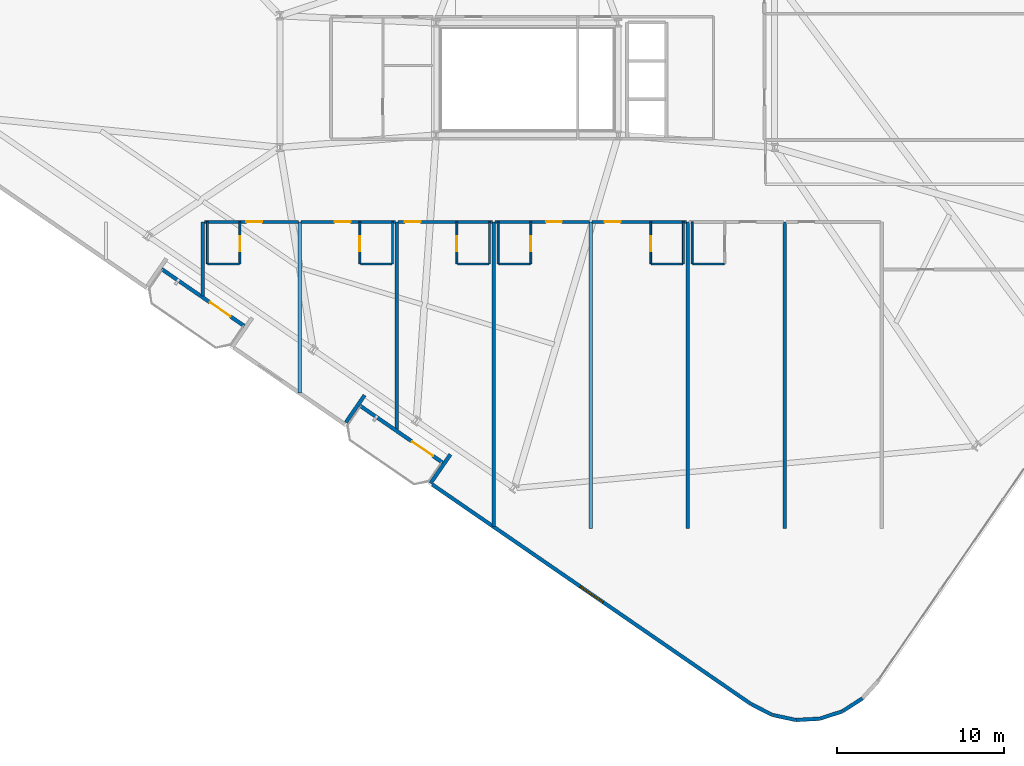
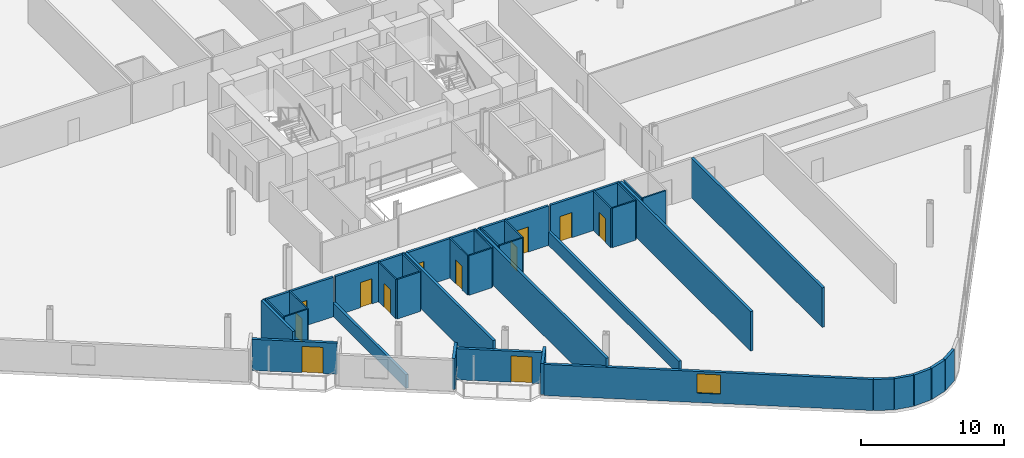
# One storey, part 17 of 24: 39 walls, 12 doors, 1 window, 13 openings.
"""IFC4 building model written with IfcOpenShell, lengths in metres."""

from ifc_helpers import new_model, si_unit, direction, frame, frame_2d, origin, place, context, subcontext, project, spatial, rectangle, extrude, material, layer, layer_set, type_object, element, fill, save


model = new_model("IFC4")

# Units and contexts
model_context = context("Model", 3, precision=1e-05, world=origin(), true_north=direction((0.0, 1.0)))
body_context = subcontext(model_context, "Body", "Model", "MODEL_VIEW")
ifc_project = project(units=[si_unit("LENGTHUNIT", "METRE"), si_unit("AREAUNIT", "SQUARE_METRE"), si_unit("VOLUMEUNIT", "CUBIC_METRE"), si_unit("PLANEANGLEUNIT", "RADIAN"), si_unit("MASSUNIT", "GRAM", prefix="KILO")], contexts=[model_context])

# Site, building, storey
site_placement = place(None, origin())
site = spatial("IfcSite", under=ifc_project, at=site_placement, CompositionType="ELEMENT")
building_placement = place(site_placement, origin())
building = spatial("IfcBuilding", under=site, at=building_placement, Name="Varnelok Gate Tower", CompositionType="ELEMENT")
storey_placement = place(building_placement, frame((0.0, 0.0, 67.699951171875)))
storey = spatial("IfcBuildingStorey", under=building, at=storey_placement, Name="L16", CompositionType="ELEMENT", Elevation=67.699951171875)

# Wall, opening, door
ifc_material_1 = material(Name="Concrete C45/55", Category="concrete")
ifc_layer_1 = layer(ifc_material_1, 0.219970703125)
ifc_layer_set_1 = layer_set([ifc_layer_1], Name="Concrete C45/55")
wall_type_1 = type_object("IfcWallType", Name="EW-BALC-220", PredefinedType="SOLIDWALL", material=ifc_layer_set_1)
wall_1_placement = place(storey_placement, frame((22.2685546875, 8.12353515625, 0.0), z_axis=(0.0, 0.0, 1.0), x_axis=(-0.823534636215, 0.567265989598, 0.0)))
wall_1 = element("IfcWall", 1, at=wall_1_placement, inside=storey, type_object=wall_type_1, Name="L16 South Terrace Envelope Wall 1", PredefinedType="SOLIDWALL", context=body_context, shape_type="SweptSolid", body=[
    extrude(rectangle(XDim=6.0, YDim=0.219970703125, at=frame_2d((3.0, 0.0))), origin(), (0.0, 0.0, 1.0), 2.66015625),
])
opening_1_placement = place(wall_1_placement, frame((0.991943359375, 0.0, 0.0)))
opening_1 = element("IfcOpeningElement", 2, at=opening_1_placement, cuts=wall_1, Name="Opening BD-1", PredefinedType="OPENING", context=body_context, shape_type="SweptSolid", body=[
    extrude(rectangle(XDim=1.5, YDim=2.25, at=frame_2d((0.75, 1.125))), frame((0.0, 0.119873046875, 0.0), z_axis=(0.0, -1.0, 0.0), x_axis=(1.0, 0.0, 0.0)), (0.0, 0.0, 1.0), 0.239990234375),
])
ifc_material_2 = material(Name="Anodized Aluminum Alloy 6063-T6", Category="aluminium")
door_type_1 = type_object("IfcDoorType", Name="DR-EXT-BALC1500", OperationType="NOTDEFINED", PredefinedType="DOOR", material=ifc_material_2)
door_1_placement = place(opening_1_placement, origin())
door_1 = element("IfcDoor", 3, at=door_1_placement, inside=storey, type_object=door_type_1, Name="L16 South Balcony Glazed Door 1", OperationType="SINGLE_SWING_RIGHT", OverallHeight=2.25, OverallWidth=1.5, PredefinedType="DOOR", context=body_context, shape_type="SweptSolid", body=[
    extrude(rectangle(XDim=1.5, YDim=2.25, at=frame_2d((0.75, 1.125))), frame((0.0, 0.02490234375, 0.0), z_axis=(0.0, -1.0, 0.0), x_axis=(1.0, 0.0, 0.0)), (0.0, 0.0, 1.0), 0.050048828125),
])
fill(opening_1, door_1)

wall_2_placement = place(storey_placement, frame((34.12744140625, -0.044921875, 0.0), z_axis=(0.0, 0.0, 1.0), x_axis=(-0.823534636215, 0.567265989598, 0.0)))
wall_2 = element("IfcWall", 4, at=wall_2_placement, inside=storey, type_object=wall_type_1, Name="L16 South Terrace Envelope Wall 2", PredefinedType="SOLIDWALL", context=body_context, shape_type="SweptSolid", body=[
    extrude(rectangle(XDim=6.0, YDim=0.219970703125, at=frame_2d((3.0, 0.0))), origin(), (0.0, 0.0, 1.0), 2.66015625),
])
opening_2_placement = place(wall_2_placement, frame((0.696044921875, 0.0, 0.0)))
opening_2 = element("IfcOpeningElement", 5, at=opening_2_placement, cuts=wall_2, Name="Opening BD-1", PredefinedType="OPENING", context=body_context, shape_type="SweptSolid", body=[
    extrude(rectangle(XDim=1.5, YDim=2.25, at=frame_2d((0.75, 1.125))), frame((0.0, 0.119873046875, 0.0), z_axis=(0.0, -1.0, 0.0), x_axis=(1.0, 0.0, 0.0)), (0.0, 0.0, 1.0), 0.239990234375),
])
door_2_placement = place(opening_2_placement, origin())
door_2 = element("IfcDoor", 6, at=door_2_placement, inside=storey, type_object=door_type_1, Name="L16 South Balcony Glazed Door 2", OperationType="SINGLE_SWING_LEFT", OverallHeight=2.25, OverallWidth=1.5, PredefinedType="DOOR", context=body_context, shape_type="SweptSolid", body=[
    extrude(rectangle(XDim=1.5, YDim=2.25, at=frame_2d((0.75, 1.125))), frame((0.0, 0.02490234375, 0.0), z_axis=(0.0, -1.0, 0.0), x_axis=(1.0, 0.0, 0.0)), (0.0, 0.0, 1.0), 0.050048828125),
])
fill(opening_2, door_2)

# Walls
wall_3_placement = place(storey_placement, frame((28.34716796875, 2.351806640625, 0.0), z_axis=(0.0, 0.0, 1.0), x_axis=(0.567215821234, 0.823569190865, 0.0)))
element("IfcWall", 7, at=wall_3_placement, inside=storey, type_object=wall_type_1, Name="L16 Perimeter Facade Closure Wall 11", PredefinedType="SOLIDWALL", context=body_context, shape_type="SweptSolid", body=[
    extrude(rectangle(XDim=1.97509765625, YDim=0.219970703125, at=frame_2d((0.987548828125, 0.0))), origin(), (0.0, 0.0, 1.0), 2.66015625),
])
wall_4_placement = place(storey_placement, frame((34.606201171875, 0.438720703125, 0.0), z_axis=(0.0, 0.0, 1.0), x_axis=(-0.567219383419, -0.823566737474, 0.0)))
element("IfcWall", 8, at=wall_4_placement, inside=storey, type_object=wall_type_1, Name="L16 Perimeter Facade Closure Wall 12", PredefinedType="SOLIDWALL", context=body_context, shape_type="SweptSolid", body=[
    extrude(rectangle(XDim=2.10009765625, YDim=0.219970703125, at=frame_2d((1.050048828125, 0.0))), origin(), (0.0, 0.0, 1.0), 2.66015625),
])

# Wall, opening, window
wall_5_placement = place(storey_placement, frame((33.517822265625, -1.36181640625, 0.0), z_axis=(0.0, 0.0, 1.0), x_axis=(0.82353935489, -0.567259139148, 0.0)))
wall_5 = element("IfcWall", 9, at=wall_5_placement, inside=storey, type_object=wall_type_1, Name="L16 Perimeter Facade Closure Wall 13", PredefinedType="SOLIDWALL", context=body_context, shape_type="SweptSolid", body=[
    extrude(rectangle(XDim=23.14697265625, YDim=0.219970703125, at=frame_2d((11.573486328125, 0.0))), origin(), (0.0, 0.0, 1.0), 2.66015625),
])
opening_3_placement = place(wall_5_placement, frame((10.74853515625, 0.0, 0.800048828125)))
opening_3 = element("IfcOpeningElement", 10, at=opening_3_placement, cuts=wall_5, Name="Opening WN3", PredefinedType="OPENING", context=body_context, shape_type="SweptSolid", body=[
    extrude(rectangle(XDim=1.64990234375, YDim=1.64990234375, at=frame_2d((0.824951171875, 0.824951171875))), frame((0.0, 0.119873046875, 0.0), z_axis=(0.0, -1.0, 0.0), x_axis=(1.0, 0.0, 0.0)), (0.0, 0.0, 1.0), 0.239990234375),
])
ifc_material_3 = material(Name="Low-E Laminated Double Glazing IGU", Category="glass")
window_type = type_object("IfcWindowType", Name="WN-HTL-1650", PartitioningType="SINGLE_PANEL", PredefinedType="WINDOW", material=ifc_material_3)
window_placement = place(opening_3_placement, origin())
window = element("IfcWindow", 11, at=window_placement, inside=storey, type_object=window_type, Name="L16 Perimeter Vision Window 13", OverallHeight=1.64990234375, OverallWidth=1.64990234375, PartitioningType="SINGLE_PANEL", PredefinedType="WINDOW", context=body_context, shape_type="SweptSolid", body=[
    extrude(rectangle(XDim=1.64990234375, YDim=1.64990234375, at=frame_2d((0.824951171875, 0.824951171875))), frame((0.0, 0.030029296875, 0.0), z_axis=(0.0, -1.0, 0.0), x_axis=(1.0, 0.0, 0.0)), (0.0, 0.0, 1.0), 0.06005859375),
])
fill(opening_3, window)

# Walls
wall_6_placement = place(storey_placement, frame((52.602783203125, -14.503662109375, 0.0), z_axis=(0.0, 0.0, 1.0), x_axis=(0.89052335693, -0.45493752402, 0.0)))
element("IfcWall", 12, at=wall_6_placement, inside=storey, type_object=wall_type_1, Name="L16 Perimeter Facade Closure Wall 14", PredefinedType="SOLIDWALL", context=body_context, shape_type="SweptSolid", body=[
    extrude(rectangle(XDim=1.4130859375, YDim=0.219970703125, at=frame_2d((0.70654296875, 0.0))), origin(), (0.0, 0.0, 1.0), 2.66015625),
])
for number, where, z_axis, x_axis, name in (
    (13, (53.8857421875, -15.15185546875, 0.0), (0.0, 0.0, 1.0), (0.977952168511, -0.208829011645, 0.0), "L16 Perimeter Facade Closure Wall 15"),
    (14, (55.284912109375, -15.444091796875, 0.0), (0.0, 0.0, 1.0), (0.998685611917, 0.051254741739, 0.0), "L16 Perimeter Facade Closure Wall 16"),
    (15, (56.712158203125, -15.364501953125, 0.0), (0.0, 0.0, 1.0), (0.95132472924, 0.308190297603, 0.0), "L16 Perimeter Facade Closure Wall 17"),
    (16, (58.070068359375, -14.91796875, 0.0), (0.0, 0.0, 1.0), (0.839248413468, 0.543748195851, 0.0), "L16 Perimeter Facade Closure Wall 18"),
):
    element("IfcWall", number, at=place(storey_placement, frame(where, z_axis=z_axis, x_axis=x_axis)), inside=storey, type_object=wall_type_1, Name=name, PredefinedType="SOLIDWALL", context=body_context, shape_type="SweptSolid", body=[
        extrude(rectangle(XDim=1.4052734375, YDim=0.219970703125, at=frame_2d((0.70263671875, 0.0))), origin(), (0.0, 0.0, 1.0), 2.66015625),
    ])

# Wall, opening, door
ifc_material_4 = material(Name="Gypsum Plasterboard Acoustic Partition", Category="gypsum")
ifc_layer_2 = layer(ifc_material_4, 0.179931640625)
ifc_layer_set_2 = layer_set([ifc_layer_2], Name="Gypsum Plasterboard Acoustic Partition")
wall_type_2 = type_object("IfcWallType", Name="PW-CORR-180", PredefinedType="PARTITIONING", material=ifc_layer_set_2)
wall_7_placement = place(storey_placement, frame((19.8798828125, 14.35009765625, 0.0), z_axis=(0.0, 0.0, 1.0), x_axis=(1.0, 0.0, 0.0)))
wall_7 = element("IfcWall", 17, at=wall_7_placement, inside=storey, type_object=wall_type_2, Name="Interior Partition", PredefinedType="PARTITIONING", context=body_context, shape_type="SweptSolid", body=[
    extrude(rectangle(XDim=5.64013671875, YDim=0.179931640625, at=frame_2d((2.820068359375, 0.0))), origin(), (0.0, 0.0, 1.0), 3.380126953125),
])
opening_4_placement = place(wall_7_placement, frame((2.51025390625, 0.0, 0.0)))
opening_4 = element("IfcOpeningElement", 18, at=opening_4_placement, cuts=wall_7, Name="Opening D-HT", PredefinedType="OPENING", context=body_context, shape_type="SweptSolid", body=[
    extrude(rectangle(XDim=0.949951171875, YDim=2.14990234375, at=frame_2d((0.47509765625, 1.074951171875))), frame((0.0, 0.099853515625, 0.0), z_axis=(0.0, -1.0, 0.0), x_axis=(1.0, 0.0, 0.0)), (0.0, 0.0, 1.0), 0.199951171875),
])
ifc_material_5 = material(Name="Engineered Hardwood Timber", Category="wood")
door_type_2 = type_object("IfcDoorType", Name="DR-HTL-950", OperationType="NOTDEFINED", PredefinedType="DOOR", material=ifc_material_5)
door_3_placement = place(opening_4_placement, origin())
door_3 = element("IfcDoor", 19, at=door_3_placement, inside=storey, type_object=door_type_2, Name="L16 Guest Room 03 Entrance Door", OperationType="SINGLE_SWING_RIGHT", OverallHeight=2.14990234375, OverallWidth=0.949951171875, PredefinedType="DOOR", context=body_context, shape_type="SweptSolid", body=[
    extrude(rectangle(XDim=0.949951171875, YDim=2.14990234375, at=frame_2d((0.47509765625, 1.074951171875))), frame((0.0, 0.02490234375, 0.0), z_axis=(0.0, -1.0, 0.0), x_axis=(1.0, 0.0, 0.0)), (0.0, 0.0, 1.0), 0.050048828125),
])
fill(opening_4, door_3)

wall_8_placement = place(storey_placement, frame((25.679931640625, 14.35009765625, 0.0), z_axis=(0.0, 0.0, 1.0), x_axis=(1.0, 0.0, 0.0)))
wall_8 = element("IfcWall", 20, at=wall_8_placement, inside=storey, type_object=wall_type_2, Name="Interior Partition", PredefinedType="PARTITIONING", context=body_context, shape_type="SweptSolid", body=[
    extrude(rectangle(XDim=5.64013671875, YDim=0.179931640625, at=frame_2d((2.820068359375, 0.0))), origin(), (0.0, 0.0, 1.0), 3.380126953125),
])
opening_5_placement = place(wall_8_placement, frame((2.001708984375, 0.0, 0.0)))
opening_5 = element("IfcOpeningElement", 21, at=opening_5_placement, cuts=wall_8, Name="Opening D-HT", PredefinedType="OPENING", context=body_context, shape_type="SweptSolid", body=[
    extrude(rectangle(XDim=0.949951171875, YDim=2.14990234375, at=frame_2d((0.47509765625, 1.074951171875))), frame((0.0, 0.099853515625, 0.0), z_axis=(0.0, -1.0, 0.0), x_axis=(1.0, 0.0, 0.0)), (0.0, 0.0, 1.0), 0.199951171875),
])
door_4_placement = place(opening_5_placement, origin())
door_4 = element("IfcDoor", 22, at=door_4_placement, inside=storey, type_object=door_type_2, Name="L16 Guest Room 04 Entrance Door", OperationType="SINGLE_SWING_LEFT", OverallHeight=2.14990234375, OverallWidth=0.949951171875, PredefinedType="DOOR", context=body_context, shape_type="SweptSolid", body=[
    extrude(rectangle(XDim=0.949951171875, YDim=2.14990234375, at=frame_2d((0.47509765625, 1.074951171875))), frame((0.0, 0.02490234375, 0.0), z_axis=(0.0, -1.0, 0.0), x_axis=(1.0, 0.0, 0.0)), (0.0, 0.0, 1.0), 0.050048828125),
])
fill(opening_5, door_4)

wall_9_placement = place(storey_placement, frame((31.47998046875, 14.35009765625, 0.0), z_axis=(0.0, 0.0, 1.0), x_axis=(1.0, 0.0, 0.0)))
wall_9 = element("IfcWall", 23, at=wall_9_placement, inside=storey, type_object=wall_type_2, Name="Interior Partition", PredefinedType="PARTITIONING", context=body_context, shape_type="SweptSolid", body=[
    extrude(rectangle(XDim=5.64013671875, YDim=0.179931640625, at=frame_2d((2.820068359375, 0.0))), origin(), (0.0, 0.0, 1.0), 3.380126953125),
])
opening_6_placement = place(wall_9_placement, frame((0.398193359375, 0.0, 0.0)))
opening_6 = element("IfcOpeningElement", 24, at=opening_6_placement, cuts=wall_9, Name="Opening D-HT", PredefinedType="OPENING", context=body_context, shape_type="SweptSolid", body=[
    extrude(rectangle(XDim=0.949951171875, YDim=2.14990234375, at=frame_2d((0.47509765625, 1.074951171875))), frame((0.0, 0.099853515625, 0.0), z_axis=(0.0, -1.0, 0.0), x_axis=(1.0, 0.0, 0.0)), (0.0, 0.0, 1.0), 0.199951171875),
])
door_5_placement = place(opening_6_placement, origin())
door_5 = element("IfcDoor", 25, at=door_5_placement, inside=storey, type_object=door_type_2, Name="L16 Guest Room 05 Entrance Door", OperationType="SINGLE_SWING_RIGHT", OverallHeight=2.14990234375, OverallWidth=0.949951171875, PredefinedType="DOOR", context=body_context, shape_type="SweptSolid", body=[
    extrude(rectangle(XDim=0.949951171875, YDim=2.14990234375, at=frame_2d((0.47509765625, 1.074951171875))), frame((0.0, 0.02490234375, 0.0), z_axis=(0.0, -1.0, 0.0), x_axis=(1.0, 0.0, 0.0)), (0.0, 0.0, 1.0), 0.050048828125),
])
fill(opening_6, door_5)

wall_10_placement = place(storey_placement, frame((37.280029296875, 14.35009765625, 0.0), z_axis=(0.0, 0.0, 1.0), x_axis=(1.0, 0.0, 0.0)))
wall_10 = element("IfcWall", 26, at=wall_10_placement, inside=storey, type_object=wall_type_2, Name="Interior Partition", PredefinedType="PARTITIONING", context=body_context, shape_type="SweptSolid", body=[
    extrude(rectangle(XDim=5.639892578125, YDim=0.179931640625, at=frame_2d((2.81982421875, 0.0))), origin(), (0.0, 0.0, 1.0), 3.380126953125),
])
opening_7_placement = place(wall_10_placement, frame((3.044677734375, 0.0, 0.0)))
opening_7 = element("IfcOpeningElement", 27, at=opening_7_placement, cuts=wall_10, Name="Opening D-HT", PredefinedType="OPENING", context=body_context, shape_type="SweptSolid", body=[
    extrude(rectangle(XDim=0.949951171875, YDim=2.14990234375, at=frame_2d((0.47509765625, 1.074951171875))), frame((0.0, 0.099853515625, 0.0), z_axis=(0.0, -1.0, 0.0), x_axis=(1.0, 0.0, 0.0)), (0.0, 0.0, 1.0), 0.199951171875),
])
door_6_placement = place(opening_7_placement, origin())
door_6 = element("IfcDoor", 28, at=door_6_placement, inside=storey, type_object=door_type_2, Name="L16 Guest Room 06 Entrance Door", OperationType="SINGLE_SWING_LEFT", OverallHeight=2.14990234375, OverallWidth=0.949951171875, PredefinedType="DOOR", context=body_context, shape_type="SweptSolid", body=[
    extrude(rectangle(XDim=0.949951171875, YDim=2.14990234375, at=frame_2d((0.47509765625, 1.074951171875))), frame((0.0, 0.02490234375, 0.0), z_axis=(0.0, -1.0, 0.0), x_axis=(1.0, 0.0, 0.0)), (0.0, 0.0, 1.0), 0.050048828125),
])
fill(opening_7, door_6)

wall_11_placement = place(storey_placement, frame((43.080078125, 14.35009765625, 0.0), z_axis=(0.0, 0.0, 1.0), x_axis=(1.0, 0.0, 0.0)))
wall_11 = element("IfcWall", 29, at=wall_11_placement, inside=storey, type_object=wall_type_2, Name="Interior Partition", PredefinedType="PARTITIONING", context=body_context, shape_type="SweptSolid", body=[
    extrude(rectangle(XDim=5.639892578125, YDim=0.179931640625, at=frame_2d((2.81982421875, 0.0))), origin(), (0.0, 0.0, 1.0), 3.380126953125),
])
opening_8_placement = place(wall_11_placement, frame((0.75439453125, 0.0, 0.0)))
opening_8 = element("IfcOpeningElement", 30, at=opening_8_placement, cuts=wall_11, Name="Opening D-HT", PredefinedType="OPENING", context=body_context, shape_type="SweptSolid", body=[
    extrude(rectangle(XDim=0.949951171875, YDim=2.14990234375, at=frame_2d((0.47509765625, 1.074951171875))), frame((0.0, 0.099853515625, 0.0), z_axis=(0.0, -1.0, 0.0), x_axis=(1.0, 0.0, 0.0)), (0.0, 0.0, 1.0), 0.199951171875),
])
door_7_placement = place(opening_8_placement, origin())
door_7 = element("IfcDoor", 31, at=door_7_placement, inside=storey, type_object=door_type_2, Name="L16 Guest Room 07 Entrance Door", OperationType="SINGLE_SWING_RIGHT", OverallHeight=2.14990234375, OverallWidth=0.949951171875, PredefinedType="DOOR", context=body_context, shape_type="SweptSolid", body=[
    extrude(rectangle(XDim=0.949951171875, YDim=2.14990234375, at=frame_2d((0.47509765625, 1.074951171875))), frame((0.0, 0.02490234375, 0.0), z_axis=(0.0, -1.0, 0.0), x_axis=(1.0, 0.0, 0.0)), (0.0, 0.0, 1.0), 0.050048828125),
])
fill(opening_8, door_7)

# Wall
ifc_layer_3 = layer(ifc_material_4, 0.114990234375)
ifc_layer_set_3 = layer_set([ifc_layer_3], Name="Gypsum Plasterboard Acoustic Partition")
wall_type_3 = type_object("IfcWallType", Name="PW-ENS-125", PredefinedType="PARTITIONING", material=ifc_layer_set_3)
wall_12_placement = place(storey_placement, frame((20.10009765625, 11.830078125, 0.0), z_axis=(0.0, 0.0, 1.0), x_axis=(1.0, 0.0, 0.0)))
element("IfcWall", 32, at=wall_12_placement, inside=storey, type_object=wall_type_3, Name="Interior Partition", PredefinedType="PARTITIONING", context=body_context, shape_type="SweptSolid", body=[
    extrude(rectangle(XDim=1.871826171875, YDim=0.114990234375, at=frame_2d((0.93603515625, 0.0))), origin(), (0.0, 0.0, 1.0), 3.380126953125),
])

# Wall, opening, door
wall_13_placement = place(storey_placement, frame((22.011962890625, 11.830078125, 0.0), z_axis=(0.0, 0.0, 1.0), x_axis=(0.0, 1.0, 0.0)))
wall_13 = element("IfcWall", 33, at=wall_13_placement, inside=storey, type_object=wall_type_3, Name="Interior Partition", PredefinedType="PARTITIONING", context=body_context, shape_type="SweptSolid", body=[
    extrude(rectangle(XDim=2.52001953125, YDim=0.114990234375, at=frame_2d((1.260009765625, 0.0))), origin(), (0.0, 0.0, 1.0), 3.380126953125),
])
opening_9_placement = place(wall_13_placement, frame((0.760009765625, 0.0, 0.0)))
opening_9 = element("IfcOpeningElement", 34, at=opening_9_placement, cuts=wall_13, Name="Opening D-WC", PredefinedType="OPENING", context=body_context, shape_type="SweptSolid", body=[
    extrude(rectangle(XDim=0.89990234375, YDim=2.050048828125, at=frame_2d((0.449951171875, 1.02490234375))), frame((0.0, 0.0673828125, 0.0), z_axis=(0.0, -1.0, 0.0), x_axis=(1.0, 0.0, 0.0)), (0.0, 0.0, 1.0), 0.135009765625),
])
door_type_3 = type_object("IfcDoorType", Name="DR-BATH-900", OperationType="NOTDEFINED", PredefinedType="DOOR", material=ifc_material_5)
door_8_placement = place(opening_9_placement, origin())
door_8 = element("IfcDoor", 35, at=door_8_placement, inside=storey, type_object=door_type_3, Name="L16 Guest En-Suite 03 Door", OperationType="SINGLE_SWING_LEFT", OverallHeight=2.050048828125, OverallWidth=0.89990234375, PredefinedType="DOOR", context=body_context, shape_type="SweptSolid", body=[
    extrude(rectangle(XDim=0.89990234375, YDim=2.050048828125, at=frame_2d((0.449951171875, 1.02490234375))), frame((0.0, 0.02490234375, 0.0), z_axis=(0.0, -1.0, 0.0), x_axis=(1.0, 0.0, 0.0)), (0.0, 0.0, 1.0), 0.050048828125),
])
fill(opening_9, door_8)

# Walls
wall_14_placement = place(storey_placement, frame((20.06005859375, 11.830078125, 0.0), z_axis=(0.0, 0.0, 1.0), x_axis=(0.0, 1.0, 0.0)))
element("IfcWall", 36, at=wall_14_placement, inside=storey, type_object=wall_type_3, Name="Interior Partition", PredefinedType="PARTITIONING", context=body_context, shape_type="SweptSolid", body=[
    extrude(rectangle(XDim=2.52001953125, YDim=0.114990234375, at=frame_2d((1.260009765625, 0.0))), origin(), (0.0, 0.0, 1.0), 3.380126953125),
])
wall_15_placement = place(storey_placement, frame((29.22802734375, 11.830078125, 0.0), z_axis=(0.0, 0.0, 1.0), x_axis=(1.0, 0.0, 0.0)))
element("IfcWall", 37, at=wall_15_placement, inside=storey, type_object=wall_type_3, Name="Interior Partition", PredefinedType="PARTITIONING", context=body_context, shape_type="SweptSolid", body=[
    extrude(rectangle(XDim=1.8720703125, YDim=0.114990234375, at=frame_2d((0.93603515625, 0.0))), origin(), (0.0, 0.0, 1.0), 3.380126953125),
])

# Wall, opening, door
wall_16_placement = place(storey_placement, frame((29.18798828125, 11.830078125, 0.0), z_axis=(0.0, 0.0, 1.0), x_axis=(0.0, 1.0, 0.0)))
wall_16 = element("IfcWall", 38, at=wall_16_placement, inside=storey, type_object=wall_type_3, Name="Interior Partition", PredefinedType="PARTITIONING", context=body_context, shape_type="SweptSolid", body=[
    extrude(rectangle(XDim=2.52001953125, YDim=0.114990234375, at=frame_2d((1.260009765625, 0.0))), origin(), (0.0, 0.0, 1.0), 3.380126953125),
])
opening_10_placement = place(wall_16_placement, frame((0.760009765625, 0.0, 0.0)))
opening_10 = element("IfcOpeningElement", 39, at=opening_10_placement, cuts=wall_16, Name="Opening D-WC", PredefinedType="OPENING", context=body_context, shape_type="SweptSolid", body=[
    extrude(rectangle(XDim=0.89990234375, YDim=2.050048828125, at=frame_2d((0.449951171875, 1.02490234375))), frame((0.0, 0.0673828125, 0.0), z_axis=(0.0, -1.0, 0.0), x_axis=(1.0, 0.0, 0.0)), (0.0, 0.0, 1.0), 0.135009765625),
])
door_9_placement = place(opening_10_placement, origin())
door_9 = element("IfcDoor", 40, at=door_9_placement, inside=storey, type_object=door_type_3, Name="L16 Guest En-Suite 04 Door", OperationType="SINGLE_SWING_RIGHT", OverallHeight=2.050048828125, OverallWidth=0.89990234375, PredefinedType="DOOR", context=body_context, shape_type="SweptSolid", body=[
    extrude(rectangle(XDim=0.89990234375, YDim=2.050048828125, at=frame_2d((0.449951171875, 1.02490234375))), frame((0.0, 0.02490234375, 0.0), z_axis=(0.0, -1.0, 0.0), x_axis=(1.0, 0.0, 0.0)), (0.0, 0.0, 1.0), 0.050048828125),
])
fill(opening_10, door_9)

# Walls
wall_17_placement = place(storey_placement, frame((31.139892578125, 11.830078125, 0.0), z_axis=(0.0, 0.0, 1.0), x_axis=(0.0, 1.0, 0.0)))
element("IfcWall", 41, at=wall_17_placement, inside=storey, type_object=wall_type_3, Name="Interior Partition", PredefinedType="PARTITIONING", context=body_context, shape_type="SweptSolid", body=[
    extrude(rectangle(XDim=2.52001953125, YDim=0.114990234375, at=frame_2d((1.260009765625, 0.0))), origin(), (0.0, 0.0, 1.0), 3.380126953125),
])
wall_18_placement = place(storey_placement, frame((35.028076171875, 11.830078125, 0.0), z_axis=(0.0, 0.0, 1.0), x_axis=(1.0, 0.0, 0.0)))
element("IfcWall", 42, at=wall_18_placement, inside=storey, type_object=wall_type_3, Name="Interior Partition", PredefinedType="PARTITIONING", context=body_context, shape_type="SweptSolid", body=[
    extrude(rectangle(XDim=1.871826171875, YDim=0.114990234375, at=frame_2d((0.93603515625, 0.0))), origin(), (0.0, 0.0, 1.0), 3.380126953125),
])

# Wall, opening, door
wall_19_placement = place(storey_placement, frame((34.988037109375, 11.830078125, 0.0), z_axis=(0.0, 0.0, 1.0), x_axis=(0.0, 1.0, 0.0)))
wall_19 = element("IfcWall", 43, at=wall_19_placement, inside=storey, type_object=wall_type_3, Name="Interior Partition", PredefinedType="PARTITIONING", context=body_context, shape_type="SweptSolid", body=[
    extrude(rectangle(XDim=2.52001953125, YDim=0.114990234375, at=frame_2d((1.260009765625, 0.0))), origin(), (0.0, 0.0, 1.0), 3.380126953125),
])
opening_11_placement = place(wall_19_placement, frame((0.760009765625, 0.0, 0.0)))
opening_11 = element("IfcOpeningElement", 44, at=opening_11_placement, cuts=wall_19, Name="Opening D-WC", PredefinedType="OPENING", context=body_context, shape_type="SweptSolid", body=[
    extrude(rectangle(XDim=0.89990234375, YDim=2.050048828125, at=frame_2d((0.449951171875, 1.02490234375))), frame((0.0, 0.0673828125, 0.0), z_axis=(0.0, -1.0, 0.0), x_axis=(1.0, 0.0, 0.0)), (0.0, 0.0, 1.0), 0.135009765625),
])
door_10_placement = place(opening_11_placement, origin())
door_10 = element("IfcDoor", 45, at=door_10_placement, inside=storey, type_object=door_type_3, Name="L16 Guest En-Suite 05 Door", OperationType="SINGLE_SWING_RIGHT", OverallHeight=2.050048828125, OverallWidth=0.89990234375, PredefinedType="DOOR", context=body_context, shape_type="SweptSolid", body=[
    extrude(rectangle(XDim=0.89990234375, YDim=2.050048828125, at=frame_2d((0.449951171875, 1.02490234375))), frame((0.0, 0.02490234375, 0.0), z_axis=(0.0, -1.0, 0.0), x_axis=(1.0, 0.0, 0.0)), (0.0, 0.0, 1.0), 0.050048828125),
])
fill(opening_11, door_10)

# Walls
wall_20_placement = place(storey_placement, frame((36.93994140625, 11.830078125, 0.0), z_axis=(0.0, 0.0, 1.0), x_axis=(0.0, 1.0, 0.0)))
element("IfcWall", 46, at=wall_20_placement, inside=storey, type_object=wall_type_3, Name="Interior Partition", PredefinedType="PARTITIONING", context=body_context, shape_type="SweptSolid", body=[
    extrude(rectangle(XDim=2.52001953125, YDim=0.114990234375, at=frame_2d((1.260009765625, 0.0))), origin(), (0.0, 0.0, 1.0), 3.380126953125),
])
wall_21_placement = place(storey_placement, frame((37.5, 11.830078125, 0.0), z_axis=(0.0, 0.0, 1.0), x_axis=(1.0, 0.0, 0.0)))
element("IfcWall", 47, at=wall_21_placement, inside=storey, type_object=wall_type_3, Name="Interior Partition", PredefinedType="PARTITIONING", context=body_context, shape_type="SweptSolid", body=[
    extrude(rectangle(XDim=1.8720703125, YDim=0.114990234375, at=frame_2d((0.93603515625, 0.0))), origin(), (0.0, 0.0, 1.0), 3.380126953125),
])

# Wall, opening, door
wall_22_placement = place(storey_placement, frame((39.412109375, 11.830078125, 0.0), z_axis=(0.0, 0.0, 1.0), x_axis=(0.0, 1.0, 0.0)))
wall_22 = element("IfcWall", 48, at=wall_22_placement, inside=storey, type_object=wall_type_3, Name="Interior Partition", PredefinedType="PARTITIONING", context=body_context, shape_type="SweptSolid", body=[
    extrude(rectangle(XDim=2.52001953125, YDim=0.114990234375, at=frame_2d((1.260009765625, 0.0))), origin(), (0.0, 0.0, 1.0), 3.380126953125),
])
opening_12_placement = place(wall_22_placement, frame((0.760009765625, 0.0, 0.0)))
opening_12 = element("IfcOpeningElement", 49, at=opening_12_placement, cuts=wall_22, Name="Opening D-WC", PredefinedType="OPENING", context=body_context, shape_type="SweptSolid", body=[
    extrude(rectangle(XDim=0.89990234375, YDim=2.050048828125, at=frame_2d((0.449951171875, 1.02490234375))), frame((0.0, 0.0673828125, 0.0), z_axis=(0.0, -1.0, 0.0), x_axis=(1.0, 0.0, 0.0)), (0.0, 0.0, 1.0), 0.135009765625),
])
door_11_placement = place(opening_12_placement, origin())
door_11 = element("IfcDoor", 50, at=door_11_placement, inside=storey, type_object=door_type_3, Name="L16 Guest En-Suite 06 Door", OperationType="SINGLE_SWING_LEFT", OverallHeight=2.050048828125, OverallWidth=0.89990234375, PredefinedType="DOOR", context=body_context, shape_type="SweptSolid", body=[
    extrude(rectangle(XDim=0.89990234375, YDim=2.050048828125, at=frame_2d((0.449951171875, 1.02490234375))), frame((0.0, 0.02490234375, 0.0), z_axis=(0.0, -1.0, 0.0), x_axis=(1.0, 0.0, 0.0)), (0.0, 0.0, 1.0), 0.050048828125),
])
fill(opening_12, door_11)

# Walls
wall_23_placement = place(storey_placement, frame((37.4599609375, 11.830078125, 0.0), z_axis=(0.0, 0.0, 1.0), x_axis=(0.0, 1.0, 0.0)))
element("IfcWall", 51, at=wall_23_placement, inside=storey, type_object=wall_type_3, Name="Interior Partition", PredefinedType="PARTITIONING", context=body_context, shape_type="SweptSolid", body=[
    extrude(rectangle(XDim=2.52001953125, YDim=0.114990234375, at=frame_2d((1.260009765625, 0.0))), origin(), (0.0, 0.0, 1.0), 3.380126953125),
])
wall_24_placement = place(storey_placement, frame((46.6279296875, 11.830078125, 0.0), z_axis=(0.0, 0.0, 1.0), x_axis=(1.0, 0.0, 0.0)))
element("IfcWall", 52, at=wall_24_placement, inside=storey, type_object=wall_type_3, Name="Interior Partition", PredefinedType="PARTITIONING", context=body_context, shape_type="SweptSolid", body=[
    extrude(rectangle(XDim=1.8720703125, YDim=0.114990234375, at=frame_2d((0.93603515625, 0.0))), origin(), (0.0, 0.0, 1.0), 3.380126953125),
])

# Wall, opening, door
wall_25_placement = place(storey_placement, frame((46.587890625, 11.830078125, 0.0), z_axis=(0.0, 0.0, 1.0), x_axis=(0.0, 1.0, 0.0)))
wall_25 = element("IfcWall", 53, at=wall_25_placement, inside=storey, type_object=wall_type_3, Name="Interior Partition", PredefinedType="PARTITIONING", context=body_context, shape_type="SweptSolid", body=[
    extrude(rectangle(XDim=2.52001953125, YDim=0.114990234375, at=frame_2d((1.260009765625, 0.0))), origin(), (0.0, 0.0, 1.0), 3.380126953125),
])
opening_13_placement = place(wall_25_placement, frame((0.760009765625, 0.0, 0.0)))
opening_13 = element("IfcOpeningElement", 54, at=opening_13_placement, cuts=wall_25, Name="Opening D-WC", PredefinedType="OPENING", context=body_context, shape_type="SweptSolid", body=[
    extrude(rectangle(XDim=0.89990234375, YDim=2.050048828125, at=frame_2d((0.449951171875, 1.02490234375))), frame((0.0, 0.0673828125, 0.0), z_axis=(0.0, -1.0, 0.0), x_axis=(1.0, 0.0, 0.0)), (0.0, 0.0, 1.0), 0.135009765625),
])
door_12_placement = place(opening_13_placement, origin())
door_12 = element("IfcDoor", 55, at=door_12_placement, inside=storey, type_object=door_type_3, Name="L16 Guest En-Suite 07 Door", OperationType="SINGLE_SWING_RIGHT", OverallHeight=2.050048828125, OverallWidth=0.89990234375, PredefinedType="DOOR", context=body_context, shape_type="SweptSolid", body=[
    extrude(rectangle(XDim=0.89990234375, YDim=2.050048828125, at=frame_2d((0.449951171875, 1.02490234375))), frame((0.0, 0.02490234375, 0.0), z_axis=(0.0, -1.0, 0.0), x_axis=(1.0, 0.0, 0.0)), (0.0, 0.0, 1.0), 0.050048828125),
])
fill(opening_13, door_12)

# Walls
wall_26_placement = place(storey_placement, frame((48.5400390625, 11.830078125, 0.0), z_axis=(0.0, 0.0, 1.0), x_axis=(0.0, 1.0, 0.0)))
element("IfcWall", 56, at=wall_26_placement, inside=storey, type_object=wall_type_3, Name="Interior Partition", PredefinedType="PARTITIONING", context=body_context, shape_type="SweptSolid", body=[
    extrude(rectangle(XDim=2.52001953125, YDim=0.114990234375, at=frame_2d((1.260009765625, 0.0))), origin(), (0.0, 0.0, 1.0), 3.380126953125),
])
wall_27_placement = place(storey_placement, frame((49.10009765625, 11.830078125, 0.0), z_axis=(0.0, 0.0, 1.0), x_axis=(1.0, 0.0, 0.0)))
element("IfcWall", 57, at=wall_27_placement, inside=storey, type_object=wall_type_3, Name="Interior Partition", PredefinedType="PARTITIONING", context=body_context, shape_type="SweptSolid", body=[
    extrude(rectangle(XDim=1.871826171875, YDim=0.114990234375, at=frame_2d((0.93603515625, 0.0))), origin(), (0.0, 0.0, 1.0), 3.380126953125),
])
wall_28_placement = place(storey_placement, frame((49.06005859375, 11.830078125, 0.0), z_axis=(0.0, 0.0, 1.0), x_axis=(0.0, 1.0, 0.0)))
element("IfcWall", 58, at=wall_28_placement, inside=storey, type_object=wall_type_3, Name="Interior Partition", PredefinedType="PARTITIONING", context=body_context, shape_type="SweptSolid", body=[
    extrude(rectangle(XDim=2.52001953125, YDim=0.114990234375, at=frame_2d((1.260009765625, 0.0))), origin(), (0.0, 0.0, 1.0), 3.380126953125),
])
ifc_layer_4 = layer(ifc_material_4, 0.205078125)
ifc_layer_set_4 = layer_set([ifc_layer_4], Name="Gypsum Plasterboard Acoustic Partition")
wall_type_4 = type_object("IfcWallType", Name="PW-PARTY-200", PredefinedType="PARTITIONING", material=ifc_layer_set_4)
wall_29_placement = place(storey_placement, frame((19.800048828125, 9.928955078125, 0.0), z_axis=(0.0, 0.0, 1.0), x_axis=(0.0, 1.0, 0.0)))
element("IfcWall", 59, at=wall_29_placement, inside=storey, type_object=wall_type_4, Name="L16 South Party Wall 2", PredefinedType="PARTITIONING", context=body_context, shape_type="SweptSolid", body=[
    extrude(rectangle(XDim=4.421142578125, YDim=0.205078125, at=frame_2d((2.21044921875, 0.0))), origin(), (0.0, 0.0, 1.0), 3.380126953125),
])
wall_30_placement = place(storey_placement, frame((25.60009765625, 4.11669921875, 0.0), z_axis=(0.0, 0.0, 1.0), x_axis=(0.0, 1.0, 0.0)))
element("IfcWall", 60, at=wall_30_placement, inside=storey, type_object=wall_type_4, Name="L16 South Party Wall 3", PredefinedType="PARTITIONING", context=body_context, shape_type="SweptSolid", body=[
    extrude(rectangle(XDim=10.2333984375, YDim=0.205078125, at=frame_2d((5.11669921875, 0.0))), origin(), (0.0, 0.0, 1.0), 1.1650390625),
])
wall_31_placement = place(storey_placement, frame((31.39990234375, 1.938720703125, 0.0), z_axis=(0.0, 0.0, 1.0), x_axis=(0.0, 1.0, 0.0)))
element("IfcWall", 61, at=wall_31_placement, inside=storey, type_object=wall_type_4, Name="L16 South Party Wall 4", PredefinedType="PARTITIONING", context=body_context, shape_type="SweptSolid", body=[
    extrude(rectangle(XDim=12.411376953125, YDim=0.205078125, at=frame_2d((6.20556640625, 0.0))), origin(), (0.0, 0.0, 1.0), 3.380126953125),
])
wall_32_placement = place(storey_placement, frame((37.199951171875, -3.873779296875, 0.0), z_axis=(0.0, 0.0, 1.0), x_axis=(0.0, 1.0, 0.0)))
element("IfcWall", 62, at=wall_32_placement, inside=storey, type_object=wall_type_4, Name="L16 South Party Wall 5", PredefinedType="PARTITIONING", context=body_context, shape_type="SweptSolid", body=[
    extrude(rectangle(XDim=18.223876953125, YDim=0.205078125, at=frame_2d((9.11181640625, 0.0))), origin(), (0.0, 0.0, 1.0), 3.380126953125),
])
wall_33_placement = place(storey_placement, frame((43.0, -4.0, 0.0), z_axis=(0.0, 0.0, 1.0), x_axis=(0.0, 1.0, 0.0)))
element("IfcWall", 63, at=wall_33_placement, inside=storey, type_object=wall_type_4, Name="L16 South Party Wall 6", PredefinedType="PARTITIONING", context=body_context, shape_type="SweptSolid", body=[
    extrude(rectangle(XDim=18.35009765625, YDim=0.205078125, at=frame_2d((9.175048828125, 0.0))), origin(), (0.0, 0.0, 1.0), 1.1650390625),
])
for number, where, z_axis, x_axis, name in (
    (64, (48.800048828125, -4.0, 0.0), (0.0, 0.0, 1.0), (0.0, 1.0, 0.0), "L16 South Party Wall 7"),
    (65, (54.60009765625, -4.0, 0.0), (0.0, 0.0, 1.0), (0.0, 1.0, 0.0), "L16 South Party Wall 8"),
):
    element("IfcWall", number, at=place(storey_placement, frame(where, z_axis=z_axis, x_axis=x_axis)), inside=storey, type_object=wall_type_4, Name=name, PredefinedType="PARTITIONING", context=body_context, shape_type="SweptSolid", body=[
        extrude(rectangle(XDim=18.35009765625, YDim=0.205078125, at=frame_2d((9.175048828125, 0.0))), origin(), (0.0, 0.0, 1.0), 3.380126953125),
    ])

save(model, "model.ifc")
